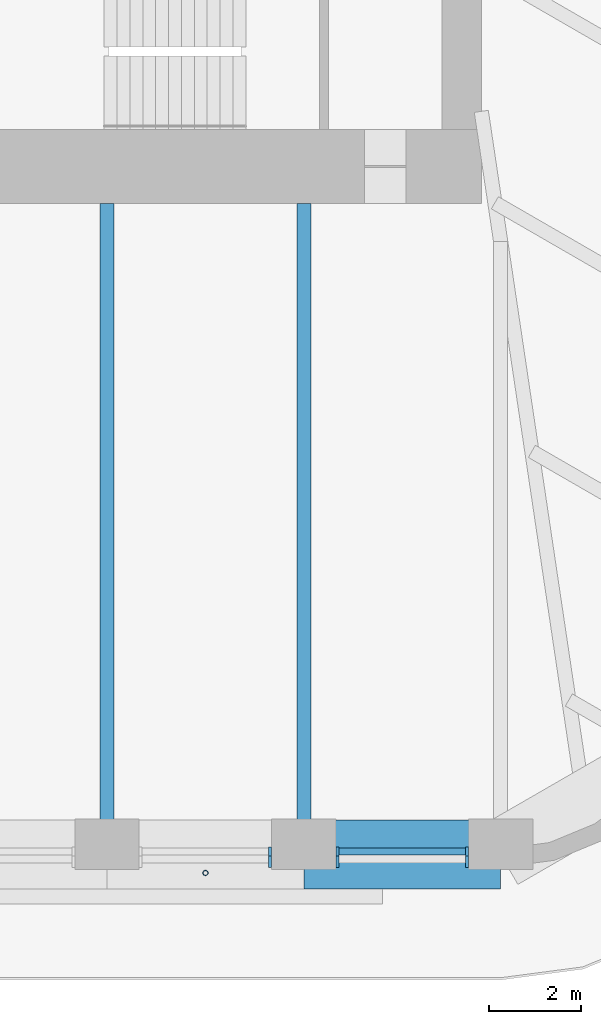
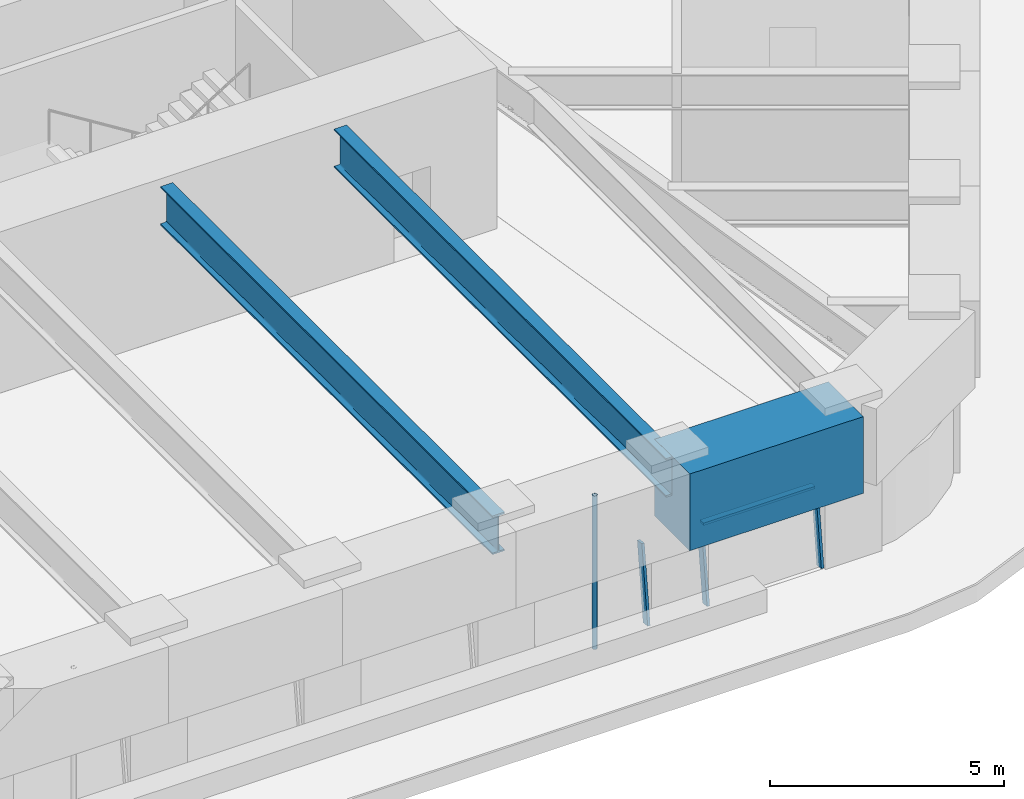
# One storey, part 4 of 18: 5 members, 3 beams, 2 elements without a shape of their own.
"""IFC4 building model written with IfcOpenShell, lengths in metres."""

from ifc_helpers import new_model, si_unit, direction, frame, origin, origin_2d, place, context, subcontext, project, spatial, rectangle, hollow_circle, i_section, extrude, material, material_profile, profile_set, type_object, element, aggregate, save


model = new_model("IFC4")

# Units and contexts
model_context = context("Model", 3, precision=1e-05, world=origin(), true_north=direction((0.0, 1.0)))
body_context = subcontext(model_context, "Body", "Model", "MODEL_VIEW")
ifc_project = project(units=[si_unit("LENGTHUNIT", "METRE"), si_unit("AREAUNIT", "SQUARE_METRE"), si_unit("VOLUMEUNIT", "CUBIC_METRE"), si_unit("PLANEANGLEUNIT", "RADIAN"), si_unit("MASSUNIT", "GRAM", prefix="KILO")], contexts=[model_context])

# Site, building, storey
site_placement = place(None, origin())
site = spatial("IfcSite", under=ifc_project, at=site_placement, CompositionType="ELEMENT")
building_placement = place(site_placement, origin())
building = spatial("IfcBuilding", under=site, at=building_placement, Name="Tarfa Lantern Tower", CompositionType="ELEMENT")
storey_placement = place(building_placement, frame((0.0, 0.0, 324.10009765625)))
storey = spatial("IfcBuildingStorey", under=building, at=storey_placement, Name="L73", CompositionType="ELEMENT", Elevation=324.10009765625)

# Curtain wall, member
ifc_material_1 = material(Name="Aluminium framed curtain wall", Category="aluminium")
curtain_wall_type = type_object("IfcCurtainWallType", Name="CW4 CANTED GLAZING EXECUTIVE ZONE 2000", PredefinedType="USERDEFINED", material=ifc_material_1)
curtain_wall_1_placement = place(storey_placement, origin())
curtain_wall_1 = element("IfcCurtainWall", 1, at=curtain_wall_1_placement, inside=storey, type_object=curtain_wall_type, Name="CW4 S L73", ObjectType="CURTAIN WALL", PredefinedType="USERDEFINED")
ifc_material_2 = material(Name="Aluminium mullion", Category="aluminium")
ifc_material_profile_1 = material_profile(ifc_material_2, rectangle(XDim=0.06494140625, YDim=0.199951171875, at=origin_2d()), Name="AL MULLION 65x200")
ifc_profile_set_1 = profile_set([ifc_material_profile_1], Name="Aluminium mullion")
member_type_1 = type_object("IfcMemberType", Name="CWM1 MULLION 65x200", PredefinedType="MULLION", material=ifc_profile_set_1)
member_1_placement = place(storey_placement, frame((7.83154296875, -26.64990234375, 0.0), z_axis=(0.0, 0.124034734589, 0.992277876714), x_axis=(-1.0, 0.0, 0.0)))
member_1 = element("IfcMember", 2, at=member_1_placement, type_object=member_type_1, Name="CW4 mullion 2", PredefinedType="MULLION", context=body_context, shape_type="SweptSolid", body=[
    extrude(rectangle(XDim=0.06494140625, YDim=0.199951171875, at=origin_2d()), origin(), (0.0, 0.0, 1.0), 2.015625),
])
aggregate(curtain_wall_1, [member_1])

# Curtain wall, members
curtain_wall_2_placement = place(storey_placement, origin())
curtain_wall_2 = element("IfcCurtainWall", 3, at=curtain_wall_2_placement, inside=storey, type_object=curtain_wall_type, Name="CW4 S L73", ObjectType="CURTAIN WALL", PredefinedType="USERDEFINED")
member_2_placement = place(storey_placement, frame((9.296630859375, -26.64990234375, 0.0), z_axis=(0.0, 0.124034734589, 0.992277876714), x_axis=(-1.0, 0.0, 0.0)))
member_2 = element("IfcMember", 4, at=member_2_placement, type_object=member_type_1, Name="CW4 mullion 1", PredefinedType="MULLION", context=body_context, shape_type="SweptSolid", body=[
    extrude(rectangle(XDim=0.06494140625, YDim=0.199951171875, at=origin_2d()), origin(), (0.0, 0.0, 1.0), 2.015625),
])
member_3_placement = place(storey_placement, frame((12.113525390625, -26.64990234375, 0.0), z_axis=(0.0, 0.124034734589, 0.992277876714), x_axis=(-1.0, 0.0, 0.0)))
member_3 = element("IfcMember", 5, at=member_3_placement, type_object=member_type_1, Name="CW4 mullion 2", PredefinedType="MULLION", context=body_context, shape_type="SweptSolid", body=[
    extrude(rectangle(XDim=0.06494140625, YDim=0.199951171875, at=origin_2d()), origin(), (0.0, 0.0, 1.0), 2.015625),
])
ifc_material_3 = material(Name="Aluminium transom", Category="aluminium")
ifc_material_profile_2 = material_profile(ifc_material_3, rectangle(XDim=0.14990234375, YDim=0.06494140625, at=origin_2d()), Name="AL TRANSOM 150x65")
ifc_profile_set_2 = profile_set([ifc_material_profile_2], Name="Aluminium transom")
member_type_2 = type_object("IfcMemberType", Name="CWT1 TRANSOM 150x65", PredefinedType="USERDEFINED", material=ifc_profile_set_2)
member_4_placement = place(storey_placement, frame((9.3291015625, -26.404052734375, 1.96728515625), z_axis=(1.0, 0.0, 0.0), x_axis=(0.0, 1.0, 0.0)))
member_4 = element("IfcMember", 6, at=member_4_placement, type_object=member_type_2, Name="CW4 transom 1.2", ObjectType="TRANSOM", PredefinedType="USERDEFINED", context=body_context, shape_type="SweptSolid", body=[
    extrude(rectangle(XDim=0.14990234375, YDim=0.06494140625, at=origin_2d()), origin(), (0.0, 0.0, 1.0), 2.751953125),
])
aggregate(curtain_wall_2, [member_2, member_3, member_4])

# Beam
ifc_material_4 = material(Name="Concrete C80/95", Category="concrete")
ifc_material_profile_3 = material_profile(ifc_material_4, rectangle(XDim=1.5, YDim=2.0, at=origin_2d()), Name="RC 1500x2000")
ifc_profile_set_3 = profile_set([ifc_material_profile_3], Name="Concrete C80/95")
beam_type_1 = type_object("IfcBeamType", Name="RB3 RC 1500x2000", PredefinedType="BEAM", material=ifc_profile_set_3)
beam_placement = place(storey_placement, frame((8.56396484375, -26.469970703125, 3.0), z_axis=(1.0, 0.0, 0.0), x_axis=(0.0, 1.0, 0.0)))
element("IfcBeam", 7, at=beam_placement, inside=storey, type_object=beam_type_1, Name="Edge beam S5", PredefinedType="BEAM", context=body_context, shape_type="SweptSolid", body=[
    extrude(rectangle(XDim=1.5, YDim=2.0, at=origin_2d()), origin(), (0.0, 0.0, 1.0), 4.281982421875),
])

# Member
ifc_material_5 = material(Name="Steel S355", Category="steel")
ifc_material_profile_4 = material_profile(ifc_material_5, hollow_circle(Radius=0.05712890625, WallThickness=0.00634765625, at=origin_2d()), Name="CHS114.3x6.3")
ifc_profile_set_4 = profile_set([ifc_material_profile_4], Name="Steel S355")
member_type_3 = type_object("IfcMemberType", Name="TR1 GREEN WALL TRELLIS CHS114.3x6.3", PredefinedType="USERDEFINED", material=ifc_profile_set_4)
member_5_placement = place(storey_placement, frame((6.423095703125, -26.8701171875, 0.0), z_axis=(0.0, 0.0, 1.0), x_axis=(1.0, 0.0, 0.0)))
element("IfcMember", 8, at=member_5_placement, inside=storey, type_object=member_type_3, Name="Trellis post S 2", ObjectType="TRELLIS", PredefinedType="USERDEFINED", context=body_context, shape_type="SweptSolid", body=[
    extrude(hollow_circle(Radius=0.05712890625, WallThickness=0.00634765625, at=origin_2d()), origin(), (0.0, 0.0, 1.0), 4.0),
])

# Beams
ifc_material_6 = material(Name="Steel S460M", Category="steel")
ifc_material_profile_5 = material_profile(ifc_material_6, i_section(OverallWidth=0.302001953125, OverallDepth=1.008056640625, WebThickness=0.02099609375, FlangeThickness=0.0400390625, FilletRadius=0.030029296875, at=origin_2d()), Name="UB1016x305x349")
ifc_profile_set_5 = profile_set([ifc_material_profile_5], Name="Steel S460M")
beam_type_2 = type_object("IfcBeamType", Name="UB1016x305x349", PredefinedType="BEAM", material=ifc_profile_set_5)
for number, where, z_axis, x_axis, name in (
    (9, (4.281982421875, -26.469970703125, 3.495849609375), (0.0, 1.0, 0.0), (-1.0, 0.0, 0.0), "Floor beam S4"),
    (10, (8.56396484375, -26.469970703125, 3.495849609375), (0.0, 1.0, 0.0), (-1.0, 0.0, 0.0), "Floor beam S5"),
):
    element("IfcBeam", number, at=place(storey_placement, frame(where, z_axis=z_axis, x_axis=x_axis)), inside=storey, type_object=beam_type_2, Name=name, PredefinedType="BEAM", context=body_context, shape_type="SweptSolid", body=[
        extrude(i_section(OverallWidth=0.302001953125, OverallDepth=1.008056640625, WebThickness=0.02099609375, FlangeThickness=0.0400390625, FilletRadius=0.030029296875, at=origin_2d()), origin(), (0.0, 0.0, 1.0), 14.169921875),
    ])

save(model, "model.ifc")
